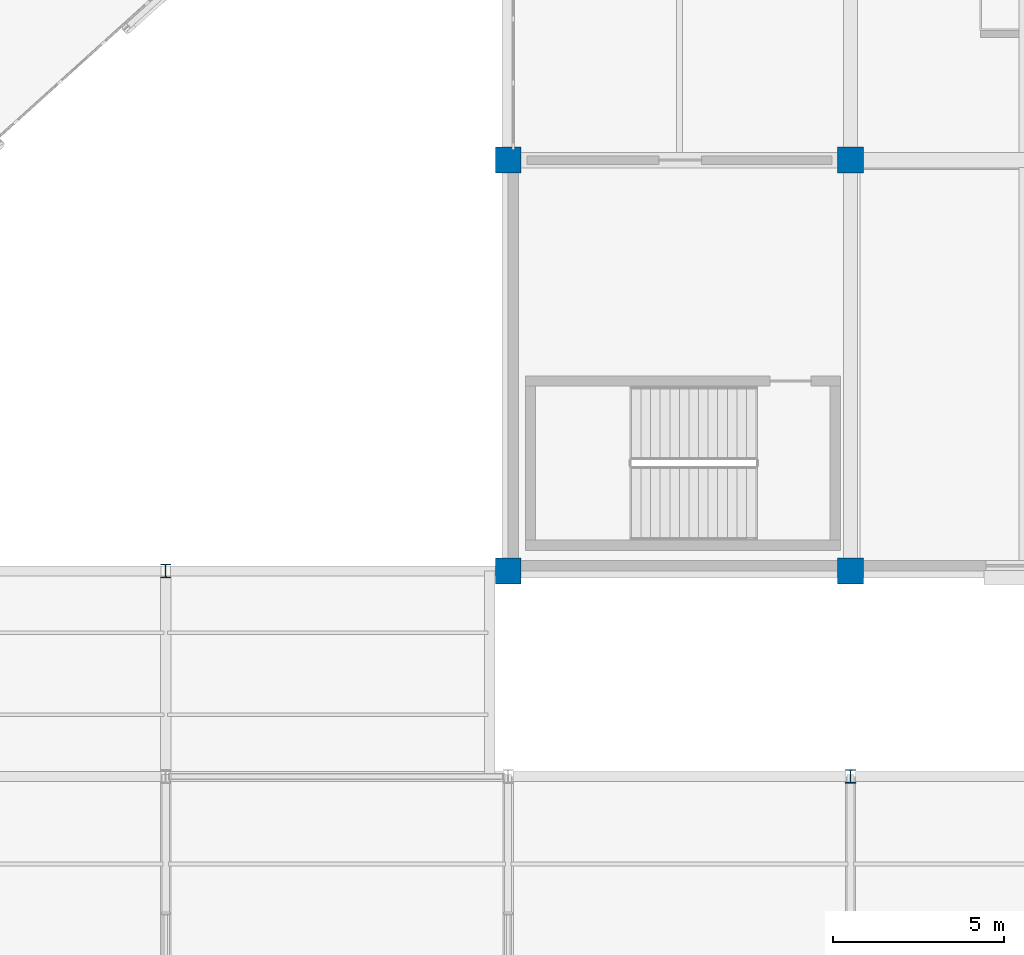
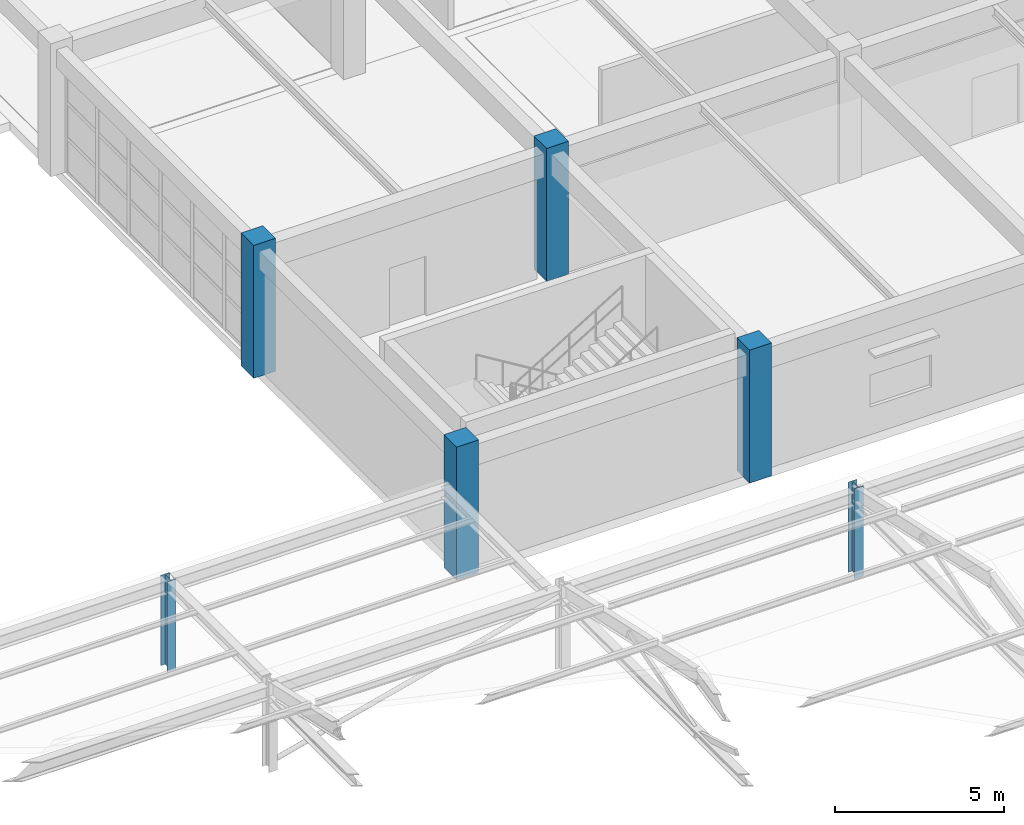
# One storey, part 8 of 109: 6 columns.
"""IFC4 building model written with IfcOpenShell, lengths in metres."""

from ifc_helpers import new_model, si_unit, direction, frame, origin, origin_2d, place, context, subcontext, project, spatial, rectangle, i_section, extrude, material, material_profile, profile_set, type_object, element, save


model = new_model("IFC4")

# Units and contexts
model_context = context("Model", 3, precision=1e-05, world=origin(), true_north=direction((0.0, 1.0)))
body_context = subcontext(model_context, "Body", "Model", "MODEL_VIEW")
ifc_project = project(units=[si_unit("LENGTHUNIT", "METRE"), si_unit("AREAUNIT", "SQUARE_METRE"), si_unit("VOLUMEUNIT", "CUBIC_METRE"), si_unit("PLANEANGLEUNIT", "RADIAN"), si_unit("MASSUNIT", "GRAM", prefix="KILO")], contexts=[model_context])

# Site, building, storey
site_placement = place(None, origin())
site = spatial("IfcSite", under=ifc_project, at=site_placement, CompositionType="ELEMENT")
building_placement = place(site_placement, origin())
building = spatial("IfcBuilding", under=site, at=building_placement, Name="Kivolera Central Railway Station", CompositionType="ELEMENT")
storey_placement = place(building_placement, frame((0.0, 0.0, 9.60009765625)))
storey = spatial("IfcBuildingStorey", under=building, at=storey_placement, Name="L02", CompositionType="ELEMENT", Elevation=9.60009765625)

# Columns
ifc_material_1 = material(Name="Concrete C40/50", Category="concrete")
ifc_material_profile_1 = material_profile(ifc_material_1, rectangle(XDim=0.75, YDim=0.75, at=origin_2d()), Name="RC 750x750")
ifc_profile_set_1 = profile_set([ifc_material_profile_1], Name="Concrete C40/50")
column_type_1 = type_object("IfcColumnType", Name="COL-RC-750", PredefinedType="COLUMN", material=ifc_profile_set_1)
for number, where, z_axis, x_axis, name in (
    (1, (118.0, 54.0, 0.0), (0.0, 0.0, 1.0), (1.0, 0.0, 0.0), "L02 Wing Column 12-E"),
    (2, (118.0, 66.0, 0.0), (0.0, 0.0, 1.0), (1.0, 0.0, 0.0), "L02 Wing Column 12-F"),
    (3, (128.0, 54.0, 0.0), (0.0, 0.0, 1.0), (1.0, 0.0, 0.0), "L02 Wing Column 13-E"),
    (4, (128.0, 66.0, 0.0), (0.0, 0.0, 1.0), (1.0, 0.0, 0.0), "L02 Wing Column 13-F"),
):
    element("IfcColumn", number, at=place(storey_placement, frame(where, z_axis=z_axis, x_axis=x_axis)), inside=storey, type_object=column_type_1, Name=name, PredefinedType="COLUMN", context=body_context, shape_type="SweptSolid", body=[
        extrude(rectangle(XDim=0.75, YDim=0.75, at=origin_2d()), origin(), (0.0, 0.0, 1.0), 4.7998046875),
    ])
ifc_material_2 = material(Name="Steel S355", Category="steel")
ifc_material_profile_2 = material_profile(ifc_material_2, i_section(OverallWidth=0.300048828125, OverallDepth=0.39990234375, WebThickness=0.013427734375, FlangeThickness=0.02392578125, FilletRadius=0.027099609375, at=origin_2d()), Name="HEB 400")
ifc_profile_set_2 = profile_set([ifc_material_profile_2], Name="Steel S355")
column_type_2 = type_object("IfcColumnType", Name="COL-STL-HEB400", PredefinedType="COLUMN", material=ifc_profile_set_2)
for number, where, z_axis, x_axis, name in (
    (5, (108.0, 54.0, 0.0), (0.0, 0.0, 1.0), (1.0, 0.0, 0.0), "L02 Train Shed Threshold Column 11-E"),
    (6, (128.0, 48.0, 0.0), (0.0, 0.0, 1.0), (1.0, 0.0, 0.0), "L02 Train Shed Upper Mast 13-D"),
):
    element("IfcColumn", number, at=place(storey_placement, frame(where, z_axis=z_axis, x_axis=x_axis)), inside=storey, type_object=column_type_2, Name=name, PredefinedType="COLUMN", context=body_context, shape_type="SweptSolid", body=[
        extrude(i_section(OverallWidth=0.300048828125, OverallDepth=0.39990234375, WebThickness=0.013427734375, FlangeThickness=0.02392578125, FilletRadius=0.027099609375, at=origin_2d()), origin(), (0.0, 0.0, 1.0), 3.25),
    ])

save(model, "model.ifc")
